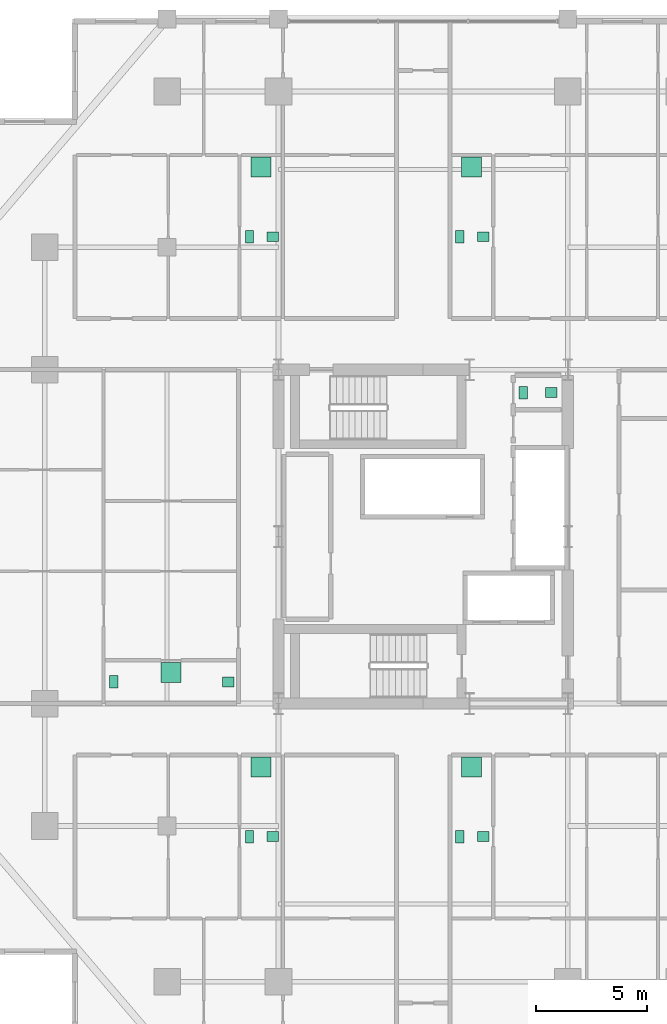
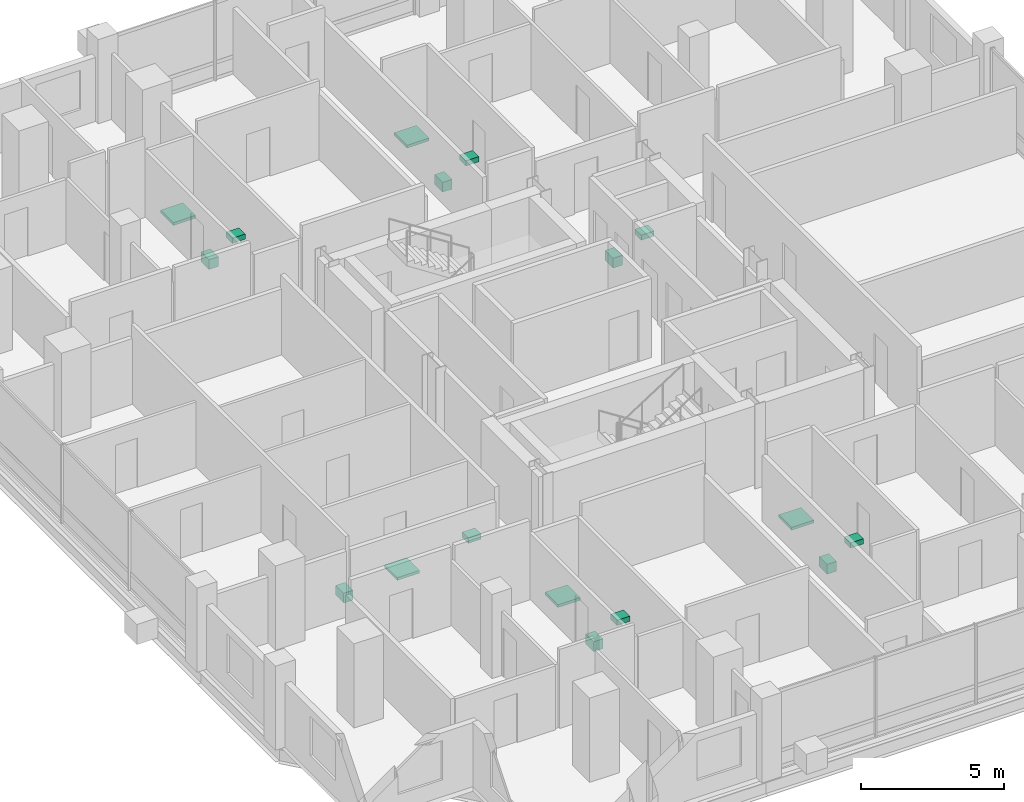
# One storey, part 20 of 20: 17 sanitary terminals.
"""IFC4 building model written with IfcOpenShell, lengths in metres."""

from ifc_helpers import new_model, si_unit, direction, frame, origin, origin_2d, place, context, subcontext, project, spatial, rectangle, extrude, material, type_object, element, save


model = new_model("IFC4")

# Units and contexts
model_context = context("Model", 3, precision=1e-05, world=origin(), true_north=direction((0.0, 1.0)))
body_context = subcontext(model_context, "Body", "Model", "MODEL_VIEW")
ifc_project = project(units=[si_unit("LENGTHUNIT", "METRE"), si_unit("AREAUNIT", "SQUARE_METRE"), si_unit("VOLUMEUNIT", "CUBIC_METRE"), si_unit("PLANEANGLEUNIT", "RADIAN"), si_unit("MASSUNIT", "GRAM", prefix="KILO")], contexts=[model_context])

# Site, building, storey
site_placement = place(None, origin())
site = spatial("IfcSite", under=ifc_project, at=site_placement, CompositionType="ELEMENT")
building_placement = place(site_placement, origin())
building = spatial("IfcBuilding", under=site, at=building_placement, Name="Barlavira Tower and Art Museum", CompositionType="ELEMENT")
storey_placement = place(building_placement, frame((0.0, 0.0, 136.800048828125)))
storey = spatial("IfcBuildingStorey", under=building, at=storey_placement, Name="L34", CompositionType="ELEMENT", Elevation=136.800048828125)

# Sanitary terminals
ifc_material = material(Name="Vitreous glazed ceramic", Category="ceramic")
sanitary_terminal_type_1 = type_object("IfcSanitaryTerminalType", Name="Countertop Ceramic Wash Hand Basin", PredefinedType="WASHHANDBASIN", material=ifc_material)
for number, where, z_axis, x_axis, name in (
    (1, (5.75, 6.47509765625, 0.73974609375), (0.0, 0.0, 1.0), (1.0, 0.0, 0.0), "L34-C-WC1 Wash Basin"),
    (2, (-6.75, -13.47509765625, 0.73974609375), (0.0, 0.0, 1.0), (1.0, 0.0, 0.0), "L34-SW1-BTH1 Wash Basin"),
    (3, (2.699951171875, -13.47509765625, 0.73974609375), (0.0, 0.0, 1.0), (1.0, 0.0, 0.0), "L34-SE1-BTH1 Wash Basin"),
    (4, (-6.75, 13.47509765625, 0.73974609375), (0.0, 0.0, 1.0), (1.0, 0.0, 0.0), "L34-NW1-BTH1 Wash Basin"),
    (5, (2.699951171875, 13.47509765625, 0.73974609375), (0.0, 0.0, 1.0), (1.0, 0.0, 0.0), "L34-NE1-BTH1 Wash Basin"),
    (6, (-8.75, -6.52490234375, 0.73974609375), (0.0, 0.0, 1.0), (1.0, 0.0, 0.0), "L34-W1-BTH1 Wash Basin"),
):
    element("IfcSanitaryTerminal", number, at=place(storey_placement, frame(where, z_axis=z_axis, x_axis=x_axis)), inside=storey, type_object=sanitary_terminal_type_1, Name=name, PredefinedType="WASHHANDBASIN", context=body_context, shape_type="SweptSolid", body=[
        extrude(rectangle(XDim=0.52001953125, YDim=0.43994140625, at=origin_2d()), origin(), (0.0, 0.0, 1.0), 0.219970703125),
    ])
sanitary_terminal_type_2 = type_object("IfcSanitaryTerminalType", Name="Walk-In Thermostatic Rain Shower Unit", PredefinedType="SHOWER", material=ifc_material)
for number, where, z_axis, x_axis, name in (
    (7, (-7.27490234375, -10.35009765625, 0.0), (0.0, 0.0, 1.0), (1.0, 0.0, 0.0), "L34-SW1-BTH1 Rain Shower"),
    (8, (2.175048828125, -10.35009765625, 0.0), (0.0, 0.0, 1.0), (1.0, 0.0, 0.0), "L34-SE1-BTH1 Rain Shower"),
    (9, (-7.27490234375, 16.60009765625, 0.0), (0.0, 0.0, 1.0), (1.0, 0.0, 0.0), "L34-NW1-BTH1 Rain Shower"),
    (10, (2.175048828125, 16.60009765625, 0.0), (0.0, 0.0, 1.0), (1.0, 0.0, 0.0), "L34-NE1-BTH1 Rain Shower"),
    (11, (-11.324951171875, -6.10009765625, 0.0), (0.0, 0.0, 1.0), (1.0, 0.0, 0.0), "L34-W1-BTH1 Rain Shower"),
):
    element("IfcSanitaryTerminal", number, at=place(storey_placement, frame(where, z_axis=z_axis, x_axis=x_axis)), inside=storey, type_object=sanitary_terminal_type_2, Name=name, PredefinedType="SHOWER", context=body_context, shape_type="SweptSolid", body=[
        extrude(rectangle(XDim=0.89990234375, YDim=0.89990234375, at=origin_2d()), origin(), (0.0, 0.0, 1.0), 0.1201171875),
    ])
sanitary_terminal_type_3 = type_object("IfcSanitaryTerminalType", Name="Wall-Hung Dual-Flush Vitreous WC Pan", PredefinedType="TOILETPAN", material=ifc_material)
for number, where, z_axis, x_axis, name in (
    (12, (4.5, 6.47509765625, 0.0), (0.0, 0.0, 1.0), (1.0, 0.0, 0.0), "L34-C-WC1 WC Pan"),
    (13, (-7.800048828125, -13.47509765625, 0.0), (0.0, 0.0, 1.0), (1.0, 0.0, 0.0), "L34-SW1-BTH1 WC Pan"),
    (14, (1.64990234375, -13.47509765625, 0.0), (0.0, 0.0, 1.0), (1.0, 0.0, 0.0), "L34-SE1-BTH1 WC Pan"),
    (15, (-7.800048828125, 13.47509765625, 0.0), (0.0, 0.0, 1.0), (1.0, 0.0, 0.0), "L34-NW1-BTH1 WC Pan"),
    (16, (1.64990234375, 13.47509765625, 0.0), (0.0, 0.0, 1.0), (1.0, 0.0, 0.0), "L34-NE1-BTH1 WC Pan"),
    (17, (-13.89990234375, -6.52490234375, 0.0), (0.0, 0.0, 1.0), (1.0, 0.0, 0.0), "L34-W1-BTH1 WC Pan"),
):
    element("IfcSanitaryTerminal", number, at=place(storey_placement, frame(where, z_axis=z_axis, x_axis=x_axis)), inside=storey, type_object=sanitary_terminal_type_3, Name=name, PredefinedType="TOILETPAN", context=body_context, shape_type="SweptSolid", body=[
        extrude(rectangle(XDim=0.3798828125, YDim=0.56005859375, at=origin_2d()), origin(), (0.0, 0.0, 1.0), 0.419921875),
    ])

save(model, "model.ifc")
